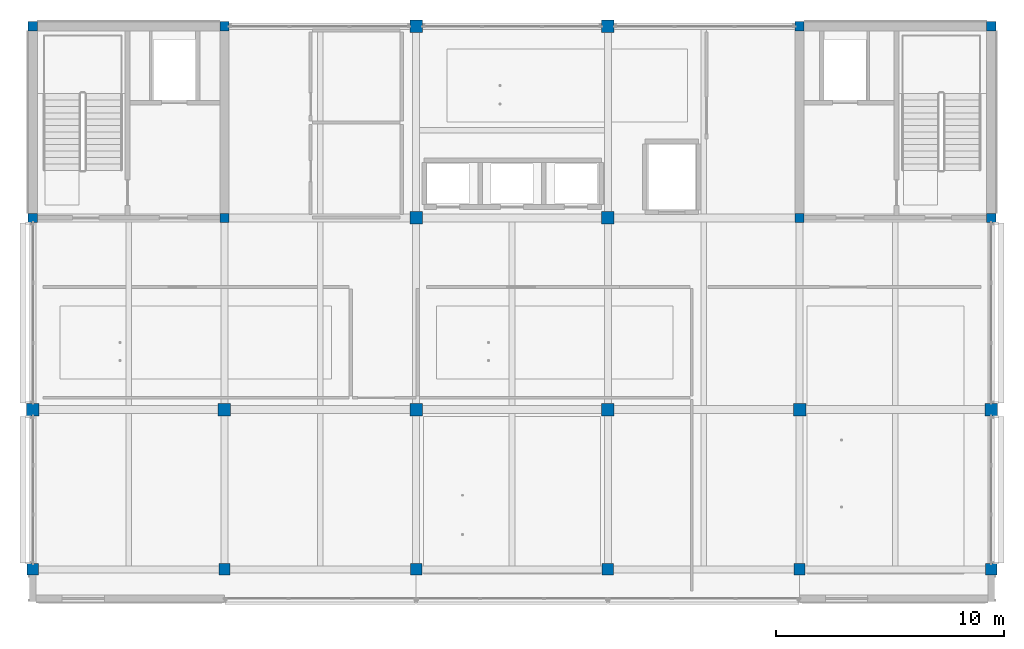
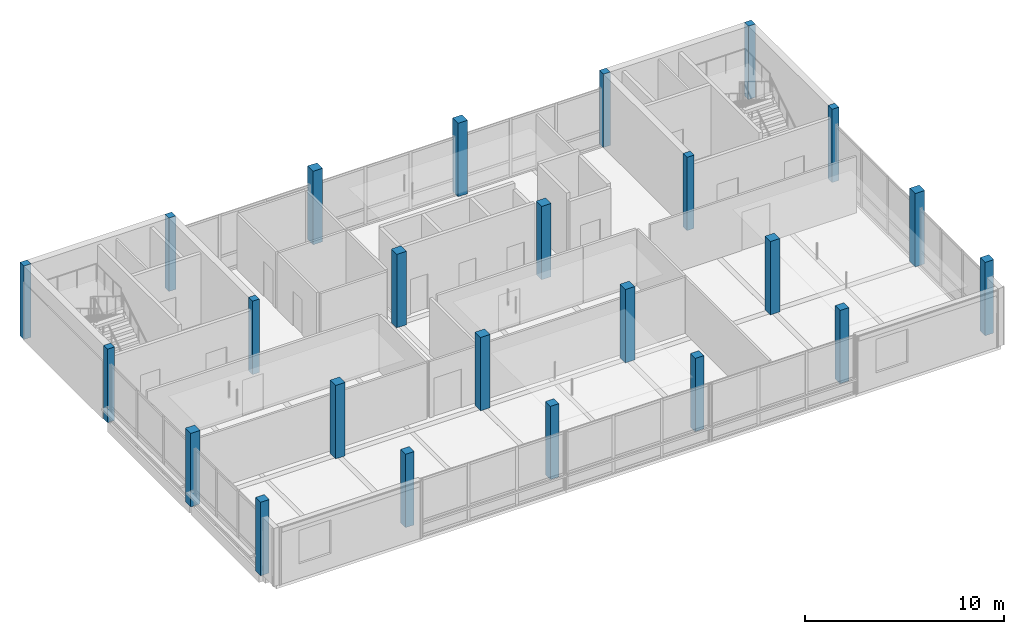
# One storey, part 1 of 20: 24 columns.
"""IFC4 building model written with IfcOpenShell, lengths in metres."""

from ifc_helpers import new_model, si_unit, direction, frame, origin, origin_2d, place, context, subcontext, project, spatial, rectangle, extrude, material, material_profile, profile_set, type_object, element, save


model = new_model("IFC4")

# Units and contexts
model_context = context("Model", 3, precision=1e-05, world=origin(), true_north=direction((0.0, 1.0)))
body_context = subcontext(model_context, "Body", "Model", "MODEL_VIEW")
ifc_project = project(units=[si_unit("LENGTHUNIT", "METRE"), si_unit("AREAUNIT", "SQUARE_METRE"), si_unit("VOLUMEUNIT", "CUBIC_METRE"), si_unit("PLANEANGLEUNIT", "RADIAN"), si_unit("MASSUNIT", "GRAM", prefix="KILO")], contexts=[model_context])

# Site, building, storey
site_placement = place(None, origin())
site = spatial("IfcSite", under=ifc_project, at=site_placement, CompositionType="ELEMENT")
building_placement = place(site_placement, origin())
building = spatial("IfcBuilding", under=site, at=building_placement, Name="Telukmera Botanical Conservatory", CompositionType="ELEMENT")
storey_placement = place(building_placement, frame((0.0, 0.0, 69.0)))
storey = spatial("IfcBuildingStorey", under=building, at=storey_placement, Name="L15", CompositionType="ELEMENT", Elevation=69.0)

# Columns
ifc_material_1 = material(Name="Concrete C40/50", Category="concrete")
ifc_material_profile_1 = material_profile(ifc_material_1, rectangle(XDim=0.550048828125, YDim=0.550048828125, at=origin_2d()), Name="RC 550x550")
ifc_profile_set_1 = profile_set([ifc_material_profile_1], Name="Concrete C40/50")
column_type_1 = type_object("IfcColumnType", Name="Col_C12", PredefinedType="COLUMN", material=ifc_profile_set_1)
for number, where, z_axis, x_axis, name in (
    (1, (58.800048828125, 17.60009765625, 0.0), (0.0, 0.0, 1.0), (1.0, 0.0, 0.0), "Column V4-L15 (58.8,17.6)"),
    (2, (67.199951171875, 17.60009765625, 0.0), (0.0, 0.0, 1.0), (1.0, 0.0, 0.0), "Column V4-L15 (67.2,17.6)"),
    (3, (75.60009765625, 17.60009765625, 0.0), (0.0, 0.0, 1.0), (1.0, 0.0, 0.0), "Column V4-L15 (75.6,17.6)"),
    (4, (75.60009765625, 26.0, 0.0), (0.0, 0.0, 1.0), (1.0, 0.0, 0.0), "Column V4-L15 (75.6,26.0)"),
    (5, (75.60009765625, 34.39990234375, 0.0), (0.0, 0.0, 1.0), (1.0, 0.0, 0.0), "Column V4-L15 (75.6,34.4)"),
    (6, (84.0, 17.60009765625, 0.0), (0.0, 0.0, 1.0), (1.0, 0.0, 0.0), "Column V4-L15 (84.0,17.6)"),
    (7, (84.0, 26.0, 0.0), (0.0, 0.0, 1.0), (1.0, 0.0, 0.0), "Column V4-L15 (84.0,26.0)"),
    (8, (84.0, 34.39990234375, 0.0), (0.0, 0.0, 1.0), (1.0, 0.0, 0.0), "Column V4-L15 (84.0,34.4)"),
    (9, (92.39990234375, 17.60009765625, 0.0), (0.0, 0.0, 1.0), (1.0, 0.0, 0.0), "Column V4-L15 (92.4,17.6)"),
    (10, (100.800048828125, 17.60009765625, 0.0), (0.0, 0.0, 1.0), (1.0, 0.0, 0.0), "Column V4-L15 (100.8,17.6)"),
):
    element("IfcColumn", number, at=place(storey_placement, frame(where, z_axis=z_axis, x_axis=x_axis)), inside=storey, type_object=column_type_1, Name=name, PredefinedType="COLUMN", context=body_context, shape_type="SweptSolid", body=[
        extrude(rectangle(XDim=0.550048828125, YDim=0.550048828125, at=origin_2d()), origin(), (0.0, 0.0, 1.0), 4.5),
    ])
ifc_material_profile_2 = material_profile(ifc_material_1, rectangle(XDim=0.5, YDim=0.5, at=origin_2d()), Name="RC 500x500")
ifc_profile_set_2 = profile_set([ifc_material_profile_2], Name="Concrete C40/50")
column_type_2 = type_object("IfcColumnType", Name="Col_C13", PredefinedType="COLUMN", material=ifc_profile_set_2)
for number, where, z_axis, x_axis, name in (
    (11, (58.800048828125, 10.60009765625, 0.0), (0.0, 0.0, 1.0), (1.0, 0.0, 0.0), "Column V4-L15 (58.8,10.6)"),
    (12, (67.199951171875, 10.60009765625, 0.0), (0.0, 0.0, 1.0), (1.0, 0.0, 0.0), "Column V4-L15 (67.2,10.6)"),
    (13, (75.60009765625, 10.60009765625, 0.0), (0.0, 0.0, 1.0), (1.0, 0.0, 0.0), "Column V4-L15 (75.6,10.6)"),
    (14, (84.0, 10.60009765625, 0.0), (0.0, 0.0, 1.0), (1.0, 0.0, 0.0), "Column V4-L15 (84.0,10.6)"),
    (15, (92.39990234375, 10.60009765625, 0.0), (0.0, 0.0, 1.0), (1.0, 0.0, 0.0), "Column V4-L15 (92.4,10.6)"),
    (16, (100.800048828125, 10.60009765625, 0.0), (0.0, 0.0, 1.0), (1.0, 0.0, 0.0), "Column V4-L15 (100.8,10.6)"),
):
    element("IfcColumn", number, at=place(storey_placement, frame(where, z_axis=z_axis, x_axis=x_axis)), inside=storey, type_object=column_type_2, Name=name, PredefinedType="COLUMN", context=body_context, shape_type="SweptSolid", body=[
        extrude(rectangle(XDim=0.5, YDim=0.5, at=origin_2d()), origin(), (0.0, 0.0, 1.0), 4.5),
    ])
ifc_material_2 = material(Name="Concrete C50/60", Category="concrete")
ifc_material_profile_3 = material_profile(ifc_material_2, rectangle(XDim=0.39990234375, YDim=0.39990234375, at=origin_2d()), Name="RC 400x400")
ifc_profile_set_3 = profile_set([ifc_material_profile_3], Name="Concrete C50/60")
column_type_3 = type_object("IfcColumnType", Name="Col_C14", PredefinedType="COLUMN", material=ifc_profile_set_3)
for number, where, z_axis, x_axis, name in (
    (17, (58.800048828125, 26.0, 0.0), (0.0, 0.0, 1.0), (1.0, 0.0, 0.0), "Column V4-L15 (58.8,26.0)"),
    (18, (58.800048828125, 34.39990234375, 0.0), (0.0, 0.0, 1.0), (1.0, 0.0, 0.0), "Column V4-L15 (58.8,34.4)"),
    (19, (67.199951171875, 26.0, 0.0), (0.0, 0.0, 1.0), (1.0, 0.0, 0.0), "Column V4-L15 (67.2,26.0)"),
    (20, (67.199951171875, 34.39990234375, 0.0), (0.0, 0.0, 1.0), (1.0, 0.0, 0.0), "Column V4-L15 (67.2,34.4)"),
    (21, (92.39990234375, 26.0, 0.0), (0.0, 0.0, 1.0), (1.0, 0.0, 0.0), "Column V4-L15 (92.4,26.0)"),
    (22, (92.39990234375, 34.39990234375, 0.0), (0.0, 0.0, 1.0), (1.0, 0.0, 0.0), "Column V4-L15 (92.4,34.4)"),
    (23, (100.800048828125, 26.0, 0.0), (0.0, 0.0, 1.0), (1.0, 0.0, 0.0), "Column V4-L15 (100.8,26.0)"),
    (24, (100.800048828125, 34.39990234375, 0.0), (0.0, 0.0, 1.0), (1.0, 0.0, 0.0), "Column V4-L15 (100.8,34.4)"),
):
    element("IfcColumn", number, at=place(storey_placement, frame(where, z_axis=z_axis, x_axis=x_axis)), inside=storey, type_object=column_type_3, Name=name, PredefinedType="COLUMN", context=body_context, shape_type="SweptSolid", body=[
        extrude(rectangle(XDim=0.39990234375, YDim=0.39990234375, at=origin_2d()), origin(), (0.0, 0.0, 1.0), 4.5),
    ])

save(model, "model.ifc")
